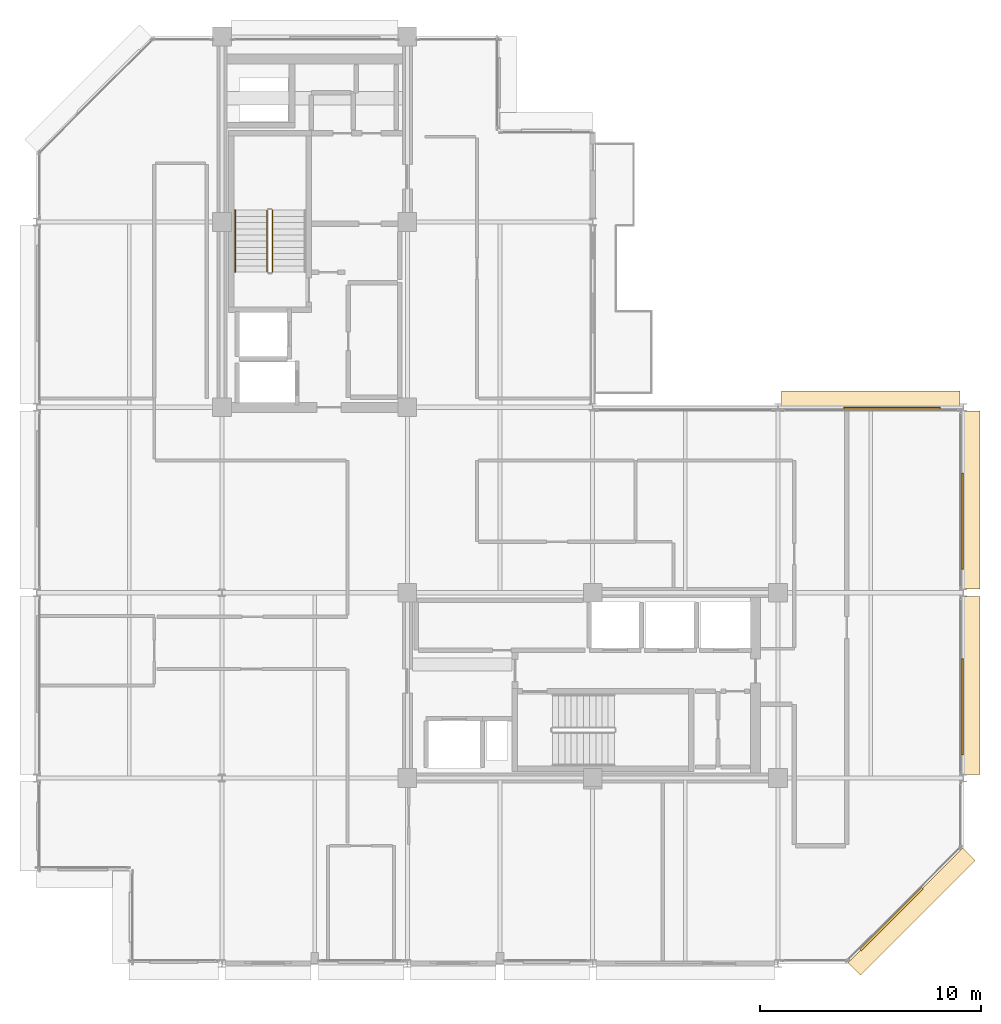
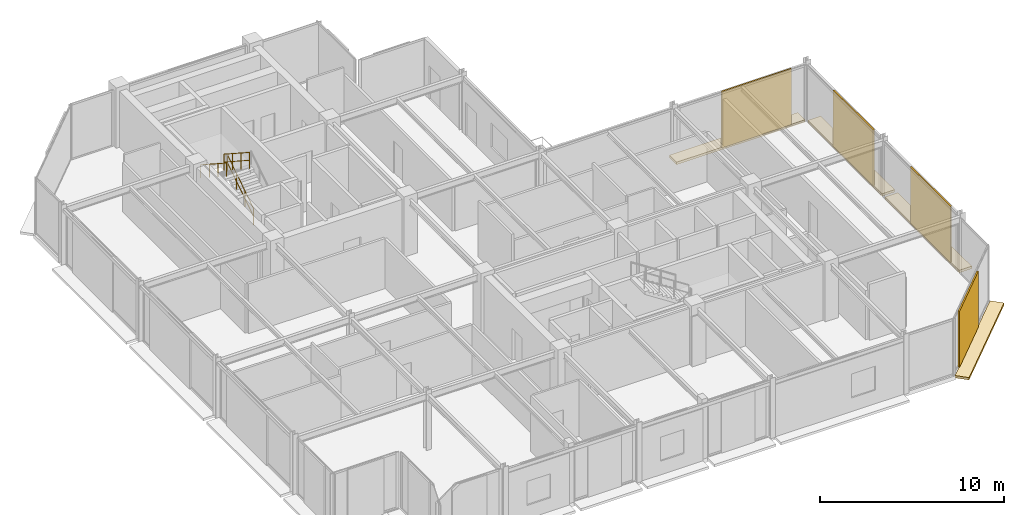
# One storey, part 26 of 27: 8 coverings, 3 railings.
"""IFC4 building model written with IfcOpenShell, lengths in metres."""

import ifcopenshell
import ifcopenshell.guid

model = None  # the IFC model being written
_history = None  # IfcOwnerHistory: only IFC2X3 demands one
_inside = {}  # id of a spatial element -> (the spatial element, [elements in it])
_under = {}  # id of a project, library or spatial element -> (it, [spatial elements below it])
_declared = {}  # id of a project -> (the project, [libraries it declares])
_typed = {}  # id of a type object -> (the type object, [elements of that type])
_made_of = {}  # id of a material, layer set ... -> (it, [elements and type objects made of it])


def new_model(schema):
    """Start an empty IFC model of exactly this schema.

    Asked for "IFC4X3", IfcOpenShell would pick the latest addendum, in which some entities
    have other attributes; the version numbers below select the first issue.
    IFC2X3 requires an IfcOwnerHistory on every rooted entity: one is made here for all.
    """
    global model, _history
    if schema == "IFC4X3":
        model = ifcopenshell.file(schema_version=(4, 3, 0, 0))
    else:
        model = ifcopenshell.file(schema=schema)
    _inside.clear()
    _under.clear()
    _declared.clear()
    _typed.clear()
    _made_of.clear()
    _history = None
    if model.schema == "IFC2X3":
        org = make("IfcOrganization", Name="unknown")
        user = make(
            "IfcPersonAndOrganization",
            ThePerson=make("IfcPerson", FamilyName="unknown"),
            TheOrganization=org,
        )
        app = make(
            "IfcApplication",
            ApplicationDeveloper=org,
            Version="unknown",
            ApplicationFullName="unknown",
            ApplicationIdentifier="unknown",
        )
        _history = make(
            "IfcOwnerHistory",
            OwningUser=user,
            OwningApplication=app,
            ChangeAction="ADDED",
            CreationDate=0,
        )
    return model


def make(cls, **values):
    """One entity of the class cls with the attributes given. An attribute that is None is left unset."""
    return model.create_entity(
        cls, **{name: value for name, value in values.items() if value is not None}
    )


def rooted(cls, **values):
    """An entity with a GlobalId (a new one), such as an element, a storey or a relation."""
    return make(cls, GlobalId=ifcopenshell.guid.new(), OwnerHistory=_history, **values)


def si_unit(unit_type, name, prefix=None):
    """IfcSIUnit, for example si_unit("LENGTHUNIT", "METRE", prefix="MILLI")."""
    return make("IfcSIUnit", UnitType=unit_type, Prefix=prefix, Name=name)


def assignment(units):
    """IfcUnitAssignment: the units of a project."""
    return None if units is None else make("IfcUnitAssignment", Units=units)


def point(xyz):
    """IfcCartesianPoint."""
    return None if xyz is None else make("IfcCartesianPoint", Coordinates=xyz)


def direction(xyz):
    """IfcDirection."""
    return None if xyz is None else make("IfcDirection", DirectionRatios=xyz)


def frame(location, z_axis=None, x_axis=None):
    """IfcAxis2Placement3D, a coordinate frame: its origin and axes. An axis left out is left unset."""
    return make(
        "IfcAxis2Placement3D",
        Location=point(location),
        Axis=direction(z_axis),
        RefDirection=direction(x_axis),
    )


def frame_2d(location, x_axis=None):
    """IfcAxis2Placement2D, a coordinate frame in the plane: its origin and x axis."""
    return make(
        "IfcAxis2Placement2D", Location=point(location), RefDirection=direction(x_axis)
    )


def origin():
    """The frame at (0, 0, 0) with its axes left unset."""
    return frame((0.0, 0.0, 0.0))


def origin_2d():
    """The frame at (0, 0) in the plane with its x axis left unset."""
    return frame_2d((0.0, 0.0))


def place(relative_to, where):
    """IfcLocalPlacement: puts the frame where relative to a parent placement (None: the world)."""
    return make(
        "IfcLocalPlacement", PlacementRelTo=relative_to, RelativePlacement=where
    )


def context(
    kind, dimensions, precision=None, world=None, true_north=None, identifier=None
):
    """IfcGeometricRepresentationContext, for example the 3D "Model" context."""
    return make(
        "IfcGeometricRepresentationContext",
        ContextIdentifier=identifier,
        ContextType=kind,
        CoordinateSpaceDimension=dimensions,
        Precision=precision,
        WorldCoordinateSystem=world,
        TrueNorth=true_north,
    )


def subcontext(parent, identifier, kind, view, scale=None):
    """IfcGeometricRepresentationSubContext, for example "Body" below "Model"."""
    return make(
        "IfcGeometricRepresentationSubContext",
        ContextIdentifier=identifier,
        ContextType=kind,
        ParentContext=parent,
        TargetScale=scale,
        TargetView=view,
    )


def project(units=None, contexts=None):
    """IfcProject with its units and contexts."""
    return rooted(
        "IfcProject",
        Name="project",
        RepresentationContexts=contexts,
        UnitsInContext=assignment(units),
    )


def spatial(cls, under=None, at=None, **own):
    """A site, building, storey or space (cls), placed at a placement, below another one or the project."""
    s = rooted(cls, ObjectPlacement=at, **own)
    if under is not None:
        _under.setdefault(under.id(), (under, []))[1].append(s)
    return s


def polyline(points):
    """IfcPolyline through the points."""
    return make("IfcPolyline", Points=[point(p) for p in points])


def profile(cls, at=None, kind="AREA", **sizes):
    """A parametric profile (cls). Its sizes go by their IFC names, for example OverallWidth=200.0."""
    return make(cls, ProfileType=kind, Position=at, **sizes)


def rectangle(**sizes):
    """IfcRectangleProfileDef."""
    return profile("IfcRectangleProfileDef", **sizes)


def circle(**sizes):
    """IfcCircleProfileDef."""
    return profile("IfcCircleProfileDef", **sizes)


def outline(outer, holes=None, kind="AREA"):
    """IfcArbitraryClosedProfileDef: a profile drawn as a closed curve; with holes, ...WithVoids."""
    if holes is None:
        return make("IfcArbitraryClosedProfileDef", ProfileType=kind, OuterCurve=outer)
    return make(
        "IfcArbitraryProfileDefWithVoids",
        ProfileType=kind,
        OuterCurve=outer,
        InnerCurves=holes,
    )


def extrude(swept, where, along, depth):
    """IfcExtrudedAreaSolid: the profile swept, set in the frame where, extruded along a direction by depth."""
    return make(
        "IfcExtrudedAreaSolid",
        SweptArea=swept,
        Position=where,
        ExtrudedDirection=direction(along),
        Depth=depth,
    )


def shape(context_of_items, identifier, shape_type, items):
    """IfcShapeRepresentation: the items that make up one representation, for example the "Body"."""
    return make(
        "IfcShapeRepresentation",
        ContextOfItems=context_of_items,
        RepresentationIdentifier=identifier,
        RepresentationType=shape_type,
        Items=items,
    )


def material(Name=None, Category=None):
    """IfcMaterial."""
    return make("IfcMaterial", Name=Name, Category=Category)


def layer(
    of_material, thickness, ventilated=None, Name=None, Category=None, Priority=None
):
    """IfcMaterialLayer: one layer of a wall or slab, of a material (None: an air gap)."""
    return make(
        "IfcMaterialLayer",
        Material=of_material,
        LayerThickness=thickness,
        IsVentilated=ventilated,
        Name=Name,
        Category=Category,
        Priority=Priority,
    )


def layer_set(layers, Name=None):
    """IfcMaterialLayerSet."""
    return make("IfcMaterialLayerSet", MaterialLayers=layers, LayerSetName=Name)


def made_of(thing, what):
    """Note that an element or type object is made of a material, layer set ...; save() writes the relation."""
    if what is not None:
        _made_of.setdefault(what.id(), (what, []))[1].append(thing)
    return thing


def type_object(cls, material=None, **own):
    """A type object (cls), such as IfcWallType, which elements share."""
    return made_of(rooted(cls, **own), material)


def element(
    cls,
    number,
    at=None,
    inside=None,
    cuts=None,
    type_object=None,
    material=None,
    context=None,
    identifier="Body",
    shape_type=None,
    held_by="IfcProductDefinitionShape",
    body=None,
    shapes=None,
    **own,
):
    """One element of the class cls, such as IfcWall. Its Tag is "e" and its number.

    at: its placement. inside: the storey or other place that contains it. cuts: it is an
    opening in that element (IfcRelVoidsElement). A single representation is given by context,
    identifier, shape_type and body (its items); several are given by shapes. held_by: the class
    of the entity that holds the representations. save() writes the other relations.
    """
    e = rooted(cls, Tag="e%d" % number, ObjectPlacement=at, **own)
    if body is not None:
        shapes = [shape(context, identifier, shape_type, body)]
    if shapes is not None:
        e.Representation = make(held_by, Representations=shapes)
    if inside is not None:
        _inside.setdefault(inside.id(), (inside, []))[1].append(e)
    if cuts is not None:
        rooted(
            "IfcRelVoidsElement", RelatingBuildingElement=cuts, RelatedOpeningElement=e
        )
    if type_object is not None:
        _typed.setdefault(type_object.id(), (type_object, []))[1].append(e)
    return made_of(e, material)


def aggregate(whole, parts):
    """IfcRelAggregates: a whole, such as a stair, and the parts it consists of."""
    return rooted("IfcRelAggregates", RelatingObject=whole, RelatedObjects=parts)


def save(model, path):
    """Write the relations noted so far, then the file.

    IfcRelAggregates (storeys below a building ...), IfcRelContainedInSpatialStructure (elements
    in a storey), IfcRelDefinesByType, IfcRelAssociatesMaterial and IfcRelDeclares: one each for
    every whole, place, type object, material and project.
    """
    for whole, parts in _under.values():
        aggregate(whole, parts)
    for where, things in _inside.values():
        rooted(
            "IfcRelContainedInSpatialStructure",
            RelatedElements=things,
            RelatingStructure=where,
        )
    for kind, things in _typed.values():
        rooted("IfcRelDefinesByType", RelatedObjects=things, RelatingType=kind)
    for what, things in _made_of.values():
        rooted("IfcRelAssociatesMaterial", RelatedObjects=things, RelatingMaterial=what)
    for by, libraries in _declared.values():
        rooted("IfcRelDeclares", RelatingContext=by, RelatedDefinitions=libraries)
    model.write(path)


model = new_model("IFC4")

# Units and contexts
model_context = context("Model", 3, precision=1e-05, world=origin(), true_north=direction((0.0, 1.0)))
body_context = subcontext(model_context, "Body", "Model", "MODEL_VIEW")
ifc_project = project(units=[si_unit("LENGTHUNIT", "METRE"), si_unit("AREAUNIT", "SQUARE_METRE"), si_unit("VOLUMEUNIT", "CUBIC_METRE"), si_unit("PLANEANGLEUNIT", "RADIAN"), si_unit("MASSUNIT", "GRAM", prefix="KILO")], contexts=[model_context])

# Site, building, storey
site_placement = place(None, origin())
site = spatial("IfcSite", under=ifc_project, at=site_placement, CompositionType="ELEMENT")
building_placement = place(site_placement, origin())
building = spatial("IfcBuilding", under=site, at=building_placement, Name="Nerrivon Quay Data Exchange", CompositionType="ELEMENT")
storey_placement = place(building_placement, frame((0.0, 0.0, 266.199951171875)))
storey = spatial("IfcBuildingStorey", under=building, at=storey_placement, Name="L63", CompositionType="ELEMENT", Elevation=266.199951171875)

# Coverings
ifc_material_1 = material(Name="Architectural terracotta ceramic", Category="masonry")
ifc_layer_1 = layer(ifc_material_1, 0.159912109375)
ifc_layer_set_1 = layer_set([ifc_layer_1], Name="Architectural terracotta ceramic")
covering_type_1 = type_object("IfcCoveringType", Name="COV-BLD-TERR", PredefinedType="CLADDING", material=ifc_layer_set_1)
covering_1_placement = place(storey_placement, frame((0.0, 0.0, -0.159912109375)))
element("IfcCovering", 1, at=covering_1_placement, inside=storey, type_object=covering_type_1, Name="L63 Horizontal Terracotta SOLAR SCREEN Blade", PredefinedType="CLADDING", context=body_context, shape_type="SweptSolid", body=[
    extrude(outline(polyline([(41.9716796875, 5.228271484375), (36.771728515625, 0.0283203125), (37.330322265625, -0.5302734375), (42.5302734375, 4.669677734375), (41.9716796875, 5.228271484375)])), origin(), (0.0, 0.0, 1.0), 0.159912109375),
])
covering_2_placement = place(storey_placement, frame((0.0, 0.0, -0.159912109375)))
element("IfcCovering", 2, at=covering_2_placement, inside=storey, type_object=covering_type_1, Name="L63 Horizontal Terracotta SOLAR SCREEN Blade", PredefinedType="CLADDING", context=body_context, shape_type="SweptSolid", body=[
    extrude(outline(polyline([(33.755615234375, 25.159912109375), (41.844482421875, 25.159912109375), (41.844482421875, 25.949951171875), (33.755615234375, 25.949951171875), (33.755615234375, 25.159912109375)])), origin(), (0.0, 0.0, 1.0), 0.159912109375),
])
covering_3_placement = place(storey_placement, frame((0.0, 0.0, -0.159912109375)))
element("IfcCovering", 3, at=covering_3_placement, inside=storey, type_object=covering_type_1, Name="L63 Horizontal Terracotta SOLAR SCREEN Blade", PredefinedType="CLADDING", context=body_context, shape_type="SweptSolid", body=[
    extrude(outline(polyline([(41.9599609375, 25.03662109375), (41.9599609375, 16.96337890625), (42.75, 16.96337890625), (42.75, 25.03662109375), (41.9599609375, 25.03662109375)])), origin(), (0.0, 0.0, 1.0), 0.159912109375),
])
covering_4_placement = place(storey_placement, frame((0.0, 0.0, -0.159912109375)))
element("IfcCovering", 4, at=covering_4_placement, inside=storey, type_object=covering_type_1, Name="L63 Horizontal Terracotta SOLAR SCREEN Blade", PredefinedType="CLADDING", context=body_context, shape_type="SweptSolid", body=[
    extrude(outline(polyline([(41.9599609375, 16.636474609375), (41.9599609375, 8.5634765625), (42.75, 8.5634765625), (42.75, 16.636474609375), (41.9599609375, 16.636474609375)])), origin(), (0.0, 0.0, 1.0), 0.159912109375),
])
ifc_layer_2 = layer(ifc_material_1, 0.090087890625)
ifc_layer_set_2 = layer_set([ifc_layer_2], Name="Architectural terracotta ceramic")
covering_type_2 = type_object("IfcCoveringType", Name="COV-SCR-TERR", PredefinedType="CLADDING", material=ifc_layer_set_2)
covering_5_placement = place(storey_placement, frame((38.744140625, 2.0078125, 0.0), z_axis=(0.0, 0.0, 1.0), x_axis=(-0.707106781187, -0.707106781187, 0.0)))
element("IfcCovering", 5, at=covering_5_placement, inside=storey, type_object=covering_type_2, Name="L63 Perforated Terracotta SOLAR SCREEN Cassette", PredefinedType="CLADDING", context=body_context, shape_type="SweptSolid", body=[
    extrude(rectangle(XDim=3.970947265625, YDim=0.090087890625, at=origin_2d()), origin(), (0.0, 0.0, 1.0), 3.72509765625),
])
covering_6_placement = place(storey_placement, frame((38.770751953125, 25.155029296875, 0.0), z_axis=(0.0, 0.0, 1.0), x_axis=(1.0, 0.0, 0.0)))
element("IfcCovering", 6, at=covering_6_placement, inside=storey, type_object=covering_type_2, Name="L63 Perforated Terracotta SOLAR SCREEN Cassette", PredefinedType="CLADDING", context=body_context, shape_type="SweptSolid", body=[
    extrude(rectangle(XDim=4.367919921875, YDim=0.090087890625, at=origin_2d()), origin(), (0.0, 0.0, 1.0), 3.72509765625),
])
for number, where, z_axis, x_axis, name in (
    (7, (41.955078125, 20.03125, 0.0), (0.0, 0.0, 1.0), (0.0, -1.0, 0.0), "L63 Perforated Terracotta SOLAR SCREEN Cassette"),
    (8, (41.955078125, 11.631103515625, 0.0), (0.0, 0.0, 1.0), (0.0, -1.0, 0.0), "L63 Perforated Terracotta SOLAR SCREEN Cassette"),
):
    element("IfcCovering", number, at=place(storey_placement, frame(where, z_axis=z_axis, x_axis=x_axis)), inside=storey, type_object=covering_type_2, Name=name, PredefinedType="CLADDING", context=body_context, shape_type="SweptSolid", body=[
        extrude(rectangle(XDim=4.35888671875, YDim=0.090087890625, at=origin_2d()), origin(), (0.0, 0.0, 1.0), 3.72509765625),
    ])

# Railings
ifc_material_2 = material(Name="Steel Grade C350L0 (350 MPa)", Category="steel")
railing_type_1 = type_object("IfcRailingType", Name="RAIL-HAND-HR1", PredefinedType="HANDRAIL", material=ifc_material_2)
railing_1_placement = place(storey_placement, frame((9.0, 34.1298828125, 2.181884765625)))
element("IfcRailing", 9, at=railing_1_placement, inside=storey, type_object=railing_type_1, Name="L63 ST01 stair handrail 2", PredefinedType="HANDRAIL", context=body_context, shape_type="SweptSolid", body=[
    extrude(circle(Radius=0.02392578125, at=origin_2d()), frame((0.0, 0.0, 0.8759765625), z_axis=(0.0, -0.83868413941, 0.544618136222), x_axis=(1.0, 0.0, 0.0)), (0.0, 0.0, 1.0), 3.33837890625),
    extrude(circle(Radius=0.02099609375, at=origin_2d()), origin(), (0.0, 0.0, 1.0), 0.851806640625),
    extrude(circle(Radius=0.02099609375, at=origin_2d()), frame((0.0, -0.933349609375, 0.60595703125)), (0.0, 0.0, 1.0), 0.851806640625),
    extrude(circle(Radius=0.02099609375, at=origin_2d()), frame((0.0, -1.866455078125, 1.212158203125)), (0.0, 0.0, 1.0), 0.851806640625),
    extrude(circle(Radius=0.02099609375, at=origin_2d()), frame((0.0, -2.7998046875, 1.818115234375)), (0.0, 0.0, 1.0), 0.851806640625),
])
railing_type_2 = type_object("IfcRailingType", Name="RAIL-STAIR-GR1", PredefinedType="BALUSTRADE", material=ifc_material_2)
railing_2_placement = place(storey_placement, frame((10.699951171875, 31.330078125, 0.181884765625)))
element("IfcRailing", 10, at=railing_2_placement, inside=storey, type_object=railing_type_2, Name="L63 ST01 stair guard 1", PredefinedType="BALUSTRADE", context=body_context, shape_type="SweptSolid", body=[
    extrude(circle(Radius=0.02392578125, at=origin_2d()), frame((0.0, 0.0, 1.076171875), z_axis=(0.0, 0.83868413941, 0.544618136222), x_axis=(-1.0, 0.0, 0.0)), (0.0, 0.0, 1.0), 3.33837890625),
    extrude(circle(Radius=0.02392578125, at=origin_2d()), frame((0.0, 0.0, 0.550048828125), z_axis=(0.0, 0.83868413941, 0.544618136222), x_axis=(-1.0, 0.0, 0.0)), (0.0, 0.0, 1.0), 3.33837890625),
    extrude(circle(Radius=0.02099609375, at=origin_2d()), origin(), (0.0, 0.0, 1.0), 1.052001953125),
    extrude(circle(Radius=0.02099609375, at=origin_2d()), frame((0.0, 0.933349609375, 0.60595703125)), (0.0, 0.0, 1.0), 1.052001953125),
    extrude(circle(Radius=0.02099609375, at=origin_2d()), frame((0.0, 1.866455078125, 1.212158203125)), (0.0, 0.0, 1.0), 1.052001953125),
    extrude(circle(Radius=0.02099609375, at=origin_2d()), frame((0.0, 2.7998046875, 1.818115234375)), (0.0, 0.0, 1.0), 1.052001953125),
])
railing_3_placement = place(storey_placement, frame((10.449951171875, 34.1298828125, 2.181884765625)))
element("IfcRailing", 11, at=railing_3_placement, inside=storey, type_object=railing_type_2, Name="L63 ST01 stair guard 3", PredefinedType="BALUSTRADE", context=body_context, shape_type="SweptSolid", body=[
    extrude(circle(Radius=0.02392578125, at=origin_2d()), frame((0.0, 0.0, 1.076171875), z_axis=(0.0, -0.83868413941, 0.544618136222), x_axis=(1.0, 0.0, 0.0)), (0.0, 0.0, 1.0), 3.33837890625),
    extrude(circle(Radius=0.02392578125, at=origin_2d()), frame((0.0, 0.0, 0.550048828125), z_axis=(0.0, -0.83868413941, 0.544618136222), x_axis=(1.0, 0.0, 0.0)), (0.0, 0.0, 1.0), 3.33837890625),
    extrude(circle(Radius=0.02099609375, at=origin_2d()), origin(), (0.0, 0.0, 1.0), 1.052001953125),
    extrude(circle(Radius=0.02099609375, at=origin_2d()), frame((0.0, -0.933349609375, 0.60595703125)), (0.0, 0.0, 1.0), 1.052001953125),
    extrude(circle(Radius=0.02099609375, at=origin_2d()), frame((0.0, -1.866455078125, 1.212158203125)), (0.0, 0.0, 1.0), 1.052001953125),
    extrude(circle(Radius=0.02099609375, at=origin_2d()), frame((0.0, -2.7998046875, 1.818115234375)), (0.0, 0.0, 1.0), 1.052001953125),
])

save(model, "model.ifc")
